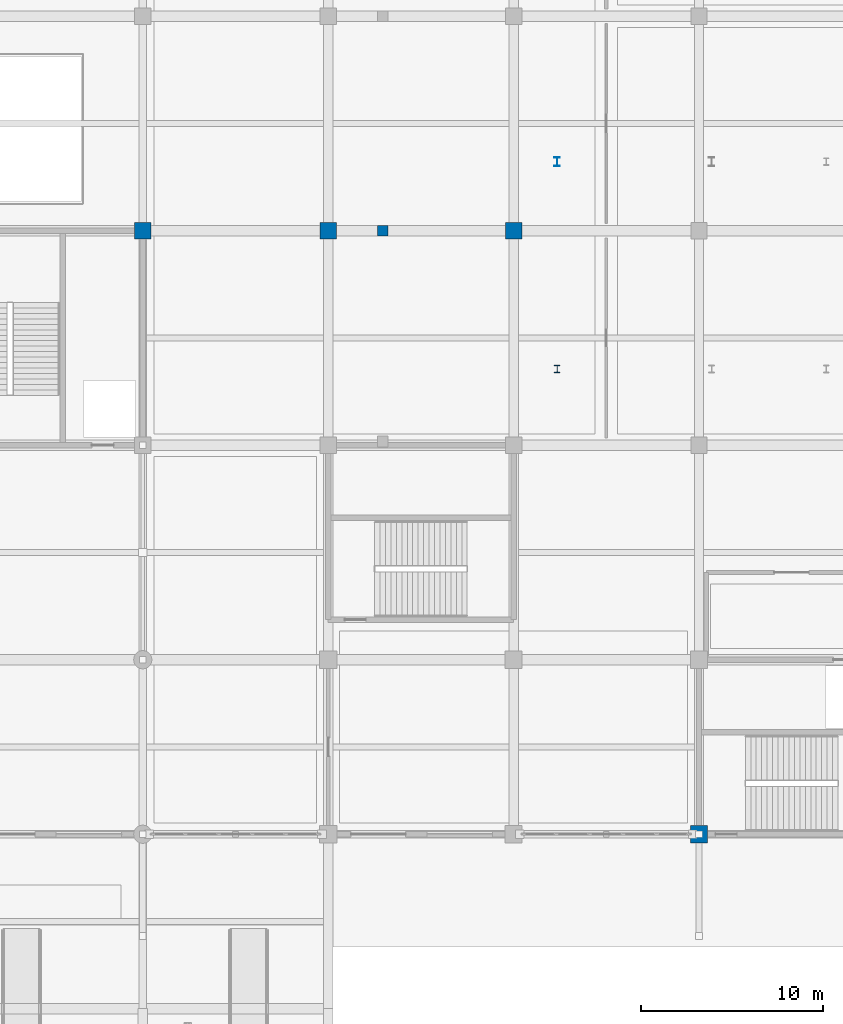
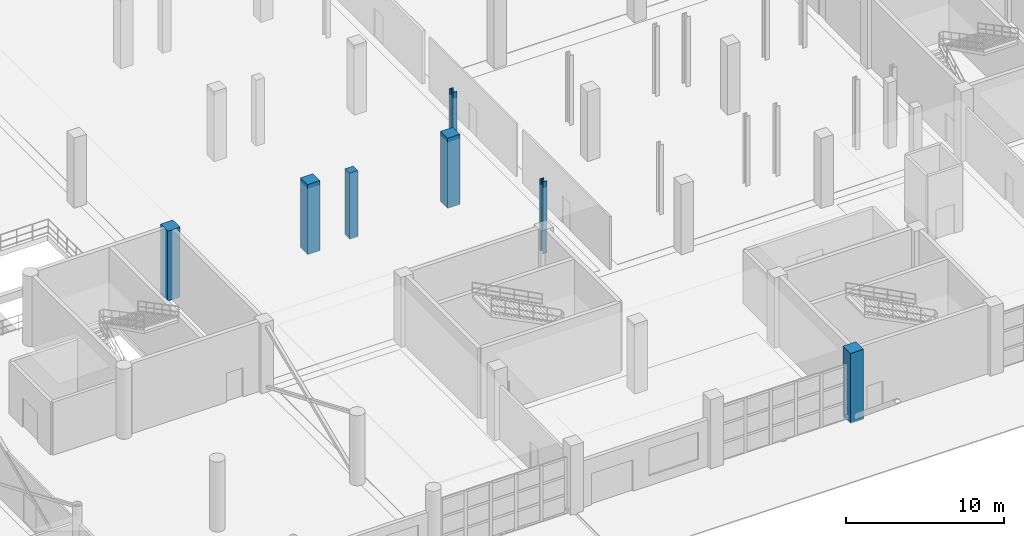
# One storey, part 12 of 124: 7 columns.
"""IFC4 building model written with IfcOpenShell, lengths in metres."""

import ifcopenshell
import ifcopenshell.guid

model = None  # the IFC model being written
_history = None  # IfcOwnerHistory: only IFC2X3 demands one
_inside = {}  # id of a spatial element -> (the spatial element, [elements in it])
_under = {}  # id of a project, library or spatial element -> (it, [spatial elements below it])
_declared = {}  # id of a project -> (the project, [libraries it declares])
_typed = {}  # id of a type object -> (the type object, [elements of that type])
_made_of = {}  # id of a material, layer set ... -> (it, [elements and type objects made of it])


def new_model(schema):
    """Start an empty IFC model of exactly this schema.

    Asked for "IFC4X3", IfcOpenShell would pick the latest addendum, in which some entities
    have other attributes; the version numbers below select the first issue.
    IFC2X3 requires an IfcOwnerHistory on every rooted entity: one is made here for all.
    """
    global model, _history
    if schema == "IFC4X3":
        model = ifcopenshell.file(schema_version=(4, 3, 0, 0))
    else:
        model = ifcopenshell.file(schema=schema)
    _inside.clear()
    _under.clear()
    _declared.clear()
    _typed.clear()
    _made_of.clear()
    _history = None
    if model.schema == "IFC2X3":
        org = make("IfcOrganization", Name="unknown")
        user = make(
            "IfcPersonAndOrganization",
            ThePerson=make("IfcPerson", FamilyName="unknown"),
            TheOrganization=org,
        )
        app = make(
            "IfcApplication",
            ApplicationDeveloper=org,
            Version="unknown",
            ApplicationFullName="unknown",
            ApplicationIdentifier="unknown",
        )
        _history = make(
            "IfcOwnerHistory",
            OwningUser=user,
            OwningApplication=app,
            ChangeAction="ADDED",
            CreationDate=0,
        )
    return model


def make(cls, **values):
    """One entity of the class cls with the attributes given. An attribute that is None is left unset."""
    return model.create_entity(
        cls, **{name: value for name, value in values.items() if value is not None}
    )


def rooted(cls, **values):
    """An entity with a GlobalId (a new one), such as an element, a storey or a relation."""
    return make(cls, GlobalId=ifcopenshell.guid.new(), OwnerHistory=_history, **values)


def si_unit(unit_type, name, prefix=None):
    """IfcSIUnit, for example si_unit("LENGTHUNIT", "METRE", prefix="MILLI")."""
    return make("IfcSIUnit", UnitType=unit_type, Prefix=prefix, Name=name)


def assignment(units):
    """IfcUnitAssignment: the units of a project."""
    return None if units is None else make("IfcUnitAssignment", Units=units)


def point(xyz):
    """IfcCartesianPoint."""
    return None if xyz is None else make("IfcCartesianPoint", Coordinates=xyz)


def direction(xyz):
    """IfcDirection."""
    return None if xyz is None else make("IfcDirection", DirectionRatios=xyz)


def frame(location, z_axis=None, x_axis=None):
    """IfcAxis2Placement3D, a coordinate frame: its origin and axes. An axis left out is left unset."""
    return make(
        "IfcAxis2Placement3D",
        Location=point(location),
        Axis=direction(z_axis),
        RefDirection=direction(x_axis),
    )


def frame_2d(location, x_axis=None):
    """IfcAxis2Placement2D, a coordinate frame in the plane: its origin and x axis."""
    return make(
        "IfcAxis2Placement2D", Location=point(location), RefDirection=direction(x_axis)
    )


def origin():
    """The frame at (0, 0, 0) with its axes left unset."""
    return frame((0.0, 0.0, 0.0))


def origin_2d():
    """The frame at (0, 0) in the plane with its x axis left unset."""
    return frame_2d((0.0, 0.0))


def place(relative_to, where):
    """IfcLocalPlacement: puts the frame where relative to a parent placement (None: the world)."""
    return make(
        "IfcLocalPlacement", PlacementRelTo=relative_to, RelativePlacement=where
    )


def context(
    kind, dimensions, precision=None, world=None, true_north=None, identifier=None
):
    """IfcGeometricRepresentationContext, for example the 3D "Model" context."""
    return make(
        "IfcGeometricRepresentationContext",
        ContextIdentifier=identifier,
        ContextType=kind,
        CoordinateSpaceDimension=dimensions,
        Precision=precision,
        WorldCoordinateSystem=world,
        TrueNorth=true_north,
    )


def subcontext(parent, identifier, kind, view, scale=None):
    """IfcGeometricRepresentationSubContext, for example "Body" below "Model"."""
    return make(
        "IfcGeometricRepresentationSubContext",
        ContextIdentifier=identifier,
        ContextType=kind,
        ParentContext=parent,
        TargetScale=scale,
        TargetView=view,
    )


def project(units=None, contexts=None):
    """IfcProject with its units and contexts."""
    return rooted(
        "IfcProject",
        Name="project",
        RepresentationContexts=contexts,
        UnitsInContext=assignment(units),
    )


def spatial(cls, under=None, at=None, **own):
    """A site, building, storey or space (cls), placed at a placement, below another one or the project."""
    s = rooted(cls, ObjectPlacement=at, **own)
    if under is not None:
        _under.setdefault(under.id(), (under, []))[1].append(s)
    return s


def profile(cls, at=None, kind="AREA", **sizes):
    """A parametric profile (cls). Its sizes go by their IFC names, for example OverallWidth=200.0."""
    return make(cls, ProfileType=kind, Position=at, **sizes)


def rectangle(**sizes):
    """IfcRectangleProfileDef."""
    return profile("IfcRectangleProfileDef", **sizes)


def i_section(**sizes):
    """IfcIShapeProfileDef."""
    return profile("IfcIShapeProfileDef", **sizes)


def extrude(swept, where, along, depth):
    """IfcExtrudedAreaSolid: the profile swept, set in the frame where, extruded along a direction by depth."""
    return make(
        "IfcExtrudedAreaSolid",
        SweptArea=swept,
        Position=where,
        ExtrudedDirection=direction(along),
        Depth=depth,
    )


def shape(context_of_items, identifier, shape_type, items):
    """IfcShapeRepresentation: the items that make up one representation, for example the "Body"."""
    return make(
        "IfcShapeRepresentation",
        ContextOfItems=context_of_items,
        RepresentationIdentifier=identifier,
        RepresentationType=shape_type,
        Items=items,
    )


def material(Name=None, Category=None):
    """IfcMaterial."""
    return make("IfcMaterial", Name=Name, Category=Category)


def material_profile(
    of_material, cross_section, Name=None, Category=None, Priority=None
):
    """IfcMaterialProfile: a cross section and its material."""
    return make(
        "IfcMaterialProfile",
        Name=Name,
        Material=of_material,
        Profile=cross_section,
        Priority=Priority,
        Category=Category,
    )


def profile_set(profiles, Name=None, composite=None):
    """IfcMaterialProfileSet."""
    return make(
        "IfcMaterialProfileSet",
        Name=Name,
        MaterialProfiles=profiles,
        CompositeProfile=composite,
    )


def made_of(thing, what):
    """Note that an element or type object is made of a material, layer set ...; save() writes the relation."""
    if what is not None:
        _made_of.setdefault(what.id(), (what, []))[1].append(thing)
    return thing


def type_object(cls, material=None, **own):
    """A type object (cls), such as IfcWallType, which elements share."""
    return made_of(rooted(cls, **own), material)


def element(
    cls,
    number,
    at=None,
    inside=None,
    cuts=None,
    type_object=None,
    material=None,
    context=None,
    identifier="Body",
    shape_type=None,
    held_by="IfcProductDefinitionShape",
    body=None,
    shapes=None,
    **own,
):
    """One element of the class cls, such as IfcWall. Its Tag is "e" and its number.

    at: its placement. inside: the storey or other place that contains it. cuts: it is an
    opening in that element (IfcRelVoidsElement). A single representation is given by context,
    identifier, shape_type and body (its items); several are given by shapes. held_by: the class
    of the entity that holds the representations. save() writes the other relations.
    """
    e = rooted(cls, Tag="e%d" % number, ObjectPlacement=at, **own)
    if body is not None:
        shapes = [shape(context, identifier, shape_type, body)]
    if shapes is not None:
        e.Representation = make(held_by, Representations=shapes)
    if inside is not None:
        _inside.setdefault(inside.id(), (inside, []))[1].append(e)
    if cuts is not None:
        rooted(
            "IfcRelVoidsElement", RelatingBuildingElement=cuts, RelatedOpeningElement=e
        )
    if type_object is not None:
        _typed.setdefault(type_object.id(), (type_object, []))[1].append(e)
    return made_of(e, material)


def aggregate(whole, parts):
    """IfcRelAggregates: a whole, such as a stair, and the parts it consists of."""
    return rooted("IfcRelAggregates", RelatingObject=whole, RelatedObjects=parts)


def save(model, path):
    """Write the relations noted so far, then the file.

    IfcRelAggregates (storeys below a building ...), IfcRelContainedInSpatialStructure (elements
    in a storey), IfcRelDefinesByType, IfcRelAssociatesMaterial and IfcRelDeclares: one each for
    every whole, place, type object, material and project.
    """
    for whole, parts in _under.values():
        aggregate(whole, parts)
    for where, things in _inside.values():
        rooted(
            "IfcRelContainedInSpatialStructure",
            RelatedElements=things,
            RelatingStructure=where,
        )
    for kind, things in _typed.values():
        rooted("IfcRelDefinesByType", RelatedObjects=things, RelatingType=kind)
    for what, things in _made_of.values():
        rooted("IfcRelAssociatesMaterial", RelatedObjects=things, RelatingMaterial=what)
    for by, libraries in _declared.values():
        rooted("IfcRelDeclares", RelatingContext=by, RelatedDefinitions=libraries)
    model.write(path)


model = new_model("IFC4")

# Units and contexts
model_context = context("Model", 3, precision=1e-05, world=origin(), true_north=direction((0.0, 1.0)))
body_context = subcontext(model_context, "Body", "Model", "MODEL_VIEW")
ifc_project = project(units=[si_unit("LENGTHUNIT", "METRE"), si_unit("AREAUNIT", "SQUARE_METRE"), si_unit("VOLUMEUNIT", "CUBIC_METRE"), si_unit("PLANEANGLEUNIT", "RADIAN"), si_unit("MASSUNIT", "GRAM", prefix="KILO")], contexts=[model_context])

# Site, building, storey
site_placement = place(None, origin())
site = spatial("IfcSite", under=ifc_project, at=site_placement, CompositionType="ELEMENT")
building_placement = place(site_placement, origin())
building = spatial("IfcBuilding", under=site, at=building_placement, Name="Brelvane Convention Centre", CompositionType="ELEMENT")
storey_placement = place(building_placement, origin())
storey = spatial("IfcBuildingStorey", under=building, at=storey_placement, Name="L00", CompositionType="ELEMENT", Elevation=0.0)

# Columns
ifc_material_1 = material(Name="Concrete M50", Category="concrete")
ifc_material_profile_1 = material_profile(ifc_material_1, rectangle(XDim=0.89990234375, YDim=0.89990234375, at=origin_2d()), Name="RC 900x900")
ifc_profile_set_1 = profile_set([ifc_material_profile_1], Name="Concrete M50")
column_type_1 = type_object("IfcColumnType", Name="RC Column C-RC2 (RC 900x900)", PredefinedType="COLUMN", material=ifc_profile_set_1)
for number, where, z_axis, x_axis, name in (
    (1, (163.199951171875, 52.39990234375, 0.0), (0.0, 0.0, 1.0), (1.0, 0.0, 0.0), "Column 17-F (L00)"),
    (2, (173.39990234375, 52.39990234375, 0.0), (0.0, 0.0, 1.0), (1.0, 0.0, 0.0), "Column 18-F (L00)"),
    (3, (183.60009765625, 52.39990234375, 0.0), (0.0, 0.0, 1.0), (1.0, 0.0, 0.0), "Column 19-F (L00)"),
):
    element("IfcColumn", number, at=place(storey_placement, frame(where, z_axis=z_axis, x_axis=x_axis)), inside=storey, type_object=column_type_1, Name=name, PredefinedType="COLUMN", context=body_context, shape_type="SweptSolid", body=[
        extrude(rectangle(XDim=0.89990234375, YDim=0.89990234375, at=origin_2d()), origin(), (0.0, 0.0, 1.0), 5.39990234375),
    ])
ifc_material_2 = material(Name="Concrete M50", Category="concrete")
ifc_material_profile_2 = material_profile(ifc_material_2, rectangle(XDim=0.60009765625, YDim=0.60009765625, at=origin_2d()), Name="RC 600x600")
ifc_profile_set_2 = profile_set([ifc_material_profile_2], Name="Concrete M50")
column_type_2 = type_object("IfcColumnType", Name="RC Column C-RC4 (RC 600x600)", PredefinedType="COLUMN", material=ifc_profile_set_2)
column_1_placement = place(storey_placement, frame((176.39990234375, 52.39990234375, 0.0), z_axis=(0.0, 0.0, 1.0), x_axis=(1.0, 0.0, 0.0)))
element("IfcColumn", 4, at=column_1_placement, inside=storey, type_object=column_type_2, Name="Plenary Gallery L00 Column 6", PredefinedType="COLUMN", context=body_context, shape_type="SweptSolid", body=[
    extrude(rectangle(XDim=0.60009765625, YDim=0.60009765625, at=origin_2d()), origin(), (0.0, 0.0, 1.0), 5.080078125),
])
ifc_material_3 = material(Name="Concrete M50", Category="concrete")
ifc_material_profile_3 = material_profile(ifc_material_3, rectangle(XDim=0.949951171875, YDim=0.949951171875, at=origin_2d()), Name="RC 950x950")
ifc_profile_set_3 = profile_set([ifc_material_profile_3], Name="Concrete M50")
column_type_3 = type_object("IfcColumnType", Name="RC Column C-RC8 (RC 950x950)", PredefinedType="COLUMN", material=ifc_profile_set_3)
column_2_placement = place(storey_placement, frame((193.800048828125, 19.199951171875, 0.0), z_axis=(0.0, 0.0, 1.0), x_axis=(1.0, 0.0, 0.0)))
element("IfcColumn", 5, at=column_2_placement, inside=storey, type_object=column_type_3, Name="Column 20-C (L00)", PredefinedType="COLUMN", context=body_context, shape_type="SweptSolid", body=[
    extrude(rectangle(XDim=0.949951171875, YDim=0.949951171875, at=origin_2d()), origin(), (0.0, 0.0, 1.0), 5.39990234375),
])
ifc_material_4 = material(Name="Steel E350 (350 MPa)", Category="steel")
ifc_material_profile_4 = material_profile(ifc_material_4, i_section(OverallWidth=0.300048828125, OverallDepth=0.5, WebThickness=0.014404296875, FlangeThickness=0.028076171875, FilletRadius=0.027099609375, at=origin_2d()), Name="WPB 500x300")
ifc_profile_set_4 = profile_set([ifc_material_profile_4], Name="Steel E350 (350 MPa)")
column_type_4 = type_object("IfcColumnType", Name="Steel Column C-ST6 (WPB 500x300)", PredefinedType="COLUMN", material=ifc_profile_set_4)
column_3_placement = place(storey_placement, frame((186.0, 56.199951171875, 0.0), z_axis=(0.0, 0.0, 1.0), x_axis=(1.0, 0.0, 0.0)))
element("IfcColumn", 6, at=column_3_placement, inside=storey, type_object=column_type_4, Name="Plenary Bowl Tier Column L00 L1-Y56", PredefinedType="COLUMN", context=body_context, shape_type="SweptSolid", body=[
    extrude(i_section(OverallWidth=0.300048828125, OverallDepth=0.5, WebThickness=0.014404296875, FlangeThickness=0.028076171875, FilletRadius=0.027099609375, at=origin_2d()), origin(), (0.0, 0.0, 1.0), 5.56005859375),
])
ifc_material_5 = material(Name="Steel E350 (350 MPa)", Category="steel")
ifc_material_profile_5 = material_profile(ifc_material_5, i_section(OverallWidth=0.300048828125, OverallDepth=0.39990234375, WebThickness=0.013427734375, FlangeThickness=0.02392578125, FilletRadius=0.027099609375, at=origin_2d()), Name="WPB 400x300")
ifc_profile_set_5 = profile_set([ifc_material_profile_5], Name="Steel E350 (350 MPa)")
column_type_5 = type_object("IfcColumnType", Name="Steel Column C-ST7 (WPB 400x300)", PredefinedType="COLUMN", material=ifc_profile_set_5)
column_4_placement = place(storey_placement, frame((186.0, 44.800048828125, 0.0), z_axis=(0.0, 0.0, 1.0), x_axis=(1.0, 0.0, 0.0)))
element("IfcColumn", 7, at=column_4_placement, inside=storey, type_object=column_type_5, Name="Plenary Bowl Edge Column L00 L1-Y44", PredefinedType="COLUMN", context=body_context, shape_type="SweptSolid", body=[
    extrude(i_section(OverallWidth=0.300048828125, OverallDepth=0.39990234375, WebThickness=0.013427734375, FlangeThickness=0.02392578125, FilletRadius=0.027099609375, at=origin_2d()), origin(), (0.0, 0.0, 1.0), 5.56005859375),
])

save(model, "model.ifc")
